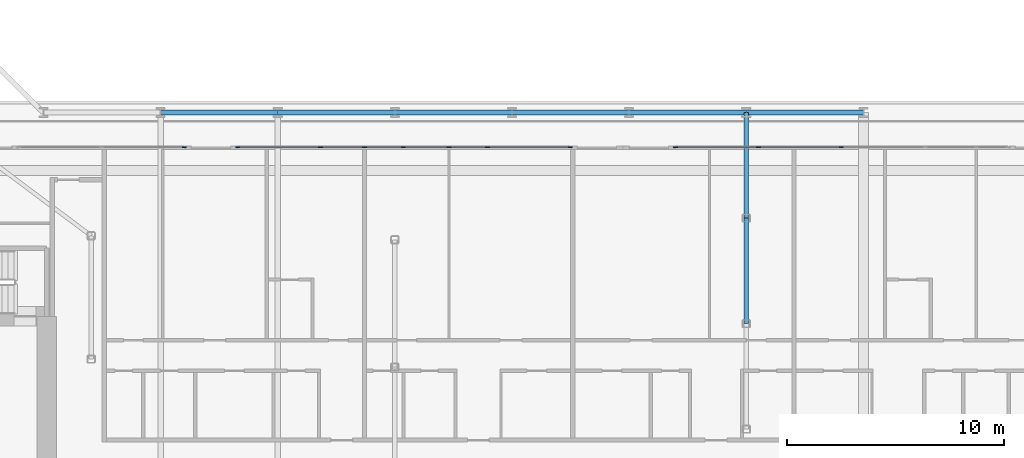
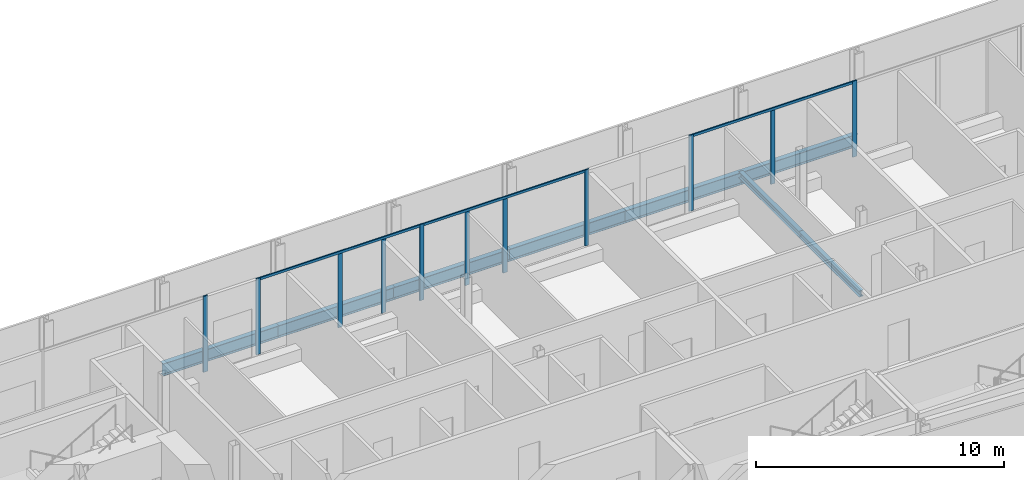
# One storey, part 6 of 26: 14 members, 8 beams, 4 elements without a shape of their own.
"""IFC4 building model written with IfcOpenShell, lengths in metres."""

from ifc_helpers import new_model, si_unit, direction, frame, origin, origin_2d, place, context, subcontext, project, spatial, rectangle, i_section, extrude, material, layer, layer_set, material_profile, profile_set, type_object, element, aggregate, save


model = new_model("IFC4")

# Units and contexts
model_context = context("Model", 3, precision=1e-05, world=origin(), true_north=direction((0.0, 1.0)))
body_context = subcontext(model_context, "Body", "Model", "MODEL_VIEW")
ifc_project = project(units=[si_unit("LENGTHUNIT", "METRE"), si_unit("AREAUNIT", "SQUARE_METRE"), si_unit("VOLUMEUNIT", "CUBIC_METRE"), si_unit("PLANEANGLEUNIT", "RADIAN"), si_unit("MASSUNIT", "GRAM", prefix="KILO")], contexts=[model_context])

# Site, building, storey
site_placement = place(None, origin())
site = spatial("IfcSite", under=ifc_project, at=site_placement, CompositionType="ELEMENT")
building_placement = place(site_placement, origin())
building = spatial("IfcBuilding", under=site, at=building_placement, Name="Kheshtan School and Residences Tower", CompositionType="ELEMENT")
storey_placement = place(building_placement, frame((0.0, 0.0, 105.800048828125)))
storey = spatial("IfcBuildingStorey", under=building, at=storey_placement, Name="L24", CompositionType="ELEMENT", Elevation=105.800048828125)

# Beams
ifc_material_1 = material(Name="Steel ASTM A992 Grade 50", Category="steel")
ifc_material_profile_1 = material_profile(ifc_material_1, i_section(OverallWidth=0.202880859375, OverallDepth=0.302978515625, WebThickness=0.007568359375, FlangeThickness=0.01318359375, FilletRadius=0.009033203125, at=origin_2d()), Name="W310x60")
ifc_profile_set_1 = profile_set([ifc_material_profile_1], Name="Steel ASTM A992 Grade 50")
beam_type_1 = type_object("IfcBeamType", Name="Beam FB1 W310x60 ASTM A992 Grade 50", PredefinedType="BEAM", material=ifc_profile_set_1)
for number, where, z_axis, x_axis, name in (
    (1, (85.39990234375, 45.60009765625, -0.301513671875), (0.0, -1.0, 0.0), (1.0, 0.0, 0.0), "Floor beam C067"),
    (2, (85.39990234375, 40.735107421875, -0.301513671875), (0.0, -1.0, 0.0), (1.0, 0.0, 0.0), "Floor beam IC"),
):
    element("IfcBeam", number, at=place(storey_placement, frame(where, z_axis=z_axis, x_axis=x_axis)), inside=storey, type_object=beam_type_1, Name=name, PredefinedType="BEAM", context=body_context, shape_type="SweptSolid", body=[
        extrude(i_section(OverallWidth=0.202880859375, OverallDepth=0.302978515625, WebThickness=0.007568359375, FlangeThickness=0.01318359375, FilletRadius=0.009033203125, at=origin_2d()), origin(), (0.0, 0.0, 1.0), 4.864990234375),
    ])
ifc_material_profile_2 = material_profile(ifc_material_1, i_section(OverallWidth=0.22802734375, OverallDepth=0.60302734375, WebThickness=0.010498046875, FlangeThickness=0.014892578125, FilletRadius=0.013427734375, at=origin_2d()), Name="W610x101")
ifc_profile_set_2 = profile_set([ifc_material_profile_2], Name="Steel ASTM A992 Grade 50")
beam_type_2 = type_object("IfcBeamType", Name="Beam SP2 W610x101 ASTM A992 Grade 50", PredefinedType="BEAM", material=ifc_profile_set_2)
beam_1_placement = place(storey_placement, frame((58.39990234375, 45.60009765625, -0.45166015625), z_axis=(1.0, 0.0, 0.0), x_axis=(0.0, 1.0, 0.0)))
element("IfcBeam", 3, at=beam_1_placement, inside=storey, type_object=beam_type_2, Name="Spandrel beam C062-C063", PredefinedType="BEAM", context=body_context, shape_type="SweptSolid", body=[
    extrude(i_section(OverallWidth=0.22802734375, OverallDepth=0.60302734375, WebThickness=0.010498046875, FlangeThickness=0.014892578125, FilletRadius=0.013427734375, at=origin_2d()), origin(), (0.0, 0.0, 1.0), 5.400146484375),
])
beam_2_placement = place(storey_placement, frame((63.800048828125, 45.60009765625, -0.45166015625), z_axis=(1.0, 0.0, 0.0), x_axis=(0.0, 1.0, 0.0)))
element("IfcBeam", 4, at=beam_2_placement, inside=storey, type_object=beam_type_2, Name="Spandrel beam C063-C064", PredefinedType="BEAM", context=body_context, shape_type="SweptSolid", body=[
    extrude(i_section(OverallWidth=0.22802734375, OverallDepth=0.60302734375, WebThickness=0.010498046875, FlangeThickness=0.014892578125, FilletRadius=0.013427734375, at=origin_2d()), origin(), (0.0, 0.0, 1.0), 5.39990234375),
])
beam_3_placement = place(storey_placement, frame((69.199951171875, 45.60009765625, -0.45166015625), z_axis=(1.0, 0.0, 0.0), x_axis=(0.0, 1.0, 0.0)))
element("IfcBeam", 5, at=beam_3_placement, inside=storey, type_object=beam_type_2, Name="Spandrel beam C064-C065", PredefinedType="BEAM", context=body_context, shape_type="SweptSolid", body=[
    extrude(i_section(OverallWidth=0.22802734375, OverallDepth=0.60302734375, WebThickness=0.010498046875, FlangeThickness=0.014892578125, FilletRadius=0.013427734375, at=origin_2d()), origin(), (0.0, 0.0, 1.0), 5.400146484375),
])
for number, where, z_axis, x_axis, name in (
    (6, (74.60009765625, 45.60009765625, -0.45166015625), (1.0, 0.0, 0.0), (0.0, 1.0, 0.0), "Spandrel beam C065-C066"),
    (7, (80.0, 45.60009765625, -0.45166015625), (1.0, 0.0, 0.0), (0.0, 1.0, 0.0), "Spandrel beam C066-C067"),
):
    element("IfcBeam", number, at=place(storey_placement, frame(where, z_axis=z_axis, x_axis=x_axis)), inside=storey, type_object=beam_type_2, Name=name, PredefinedType="BEAM", context=body_context, shape_type="SweptSolid", body=[
        extrude(i_section(OverallWidth=0.22802734375, OverallDepth=0.60302734375, WebThickness=0.010498046875, FlangeThickness=0.014892578125, FilletRadius=0.013427734375, at=origin_2d()), origin(), (0.0, 0.0, 1.0), 5.39990234375),
    ])
beam_4_placement = place(storey_placement, frame((85.39990234375, 45.60009765625, -0.45166015625), z_axis=(1.0, 0.0, 0.0), x_axis=(0.0, 1.0, 0.0)))
element("IfcBeam", 8, at=beam_4_placement, inside=storey, type_object=beam_type_2, Name="Spandrel beam C067-C068", PredefinedType="BEAM", context=body_context, shape_type="SweptSolid", body=[
    extrude(i_section(OverallWidth=0.22802734375, OverallDepth=0.60302734375, WebThickness=0.010498046875, FlangeThickness=0.014892578125, FilletRadius=0.013427734375, at=origin_2d()), origin(), (0.0, 0.0, 1.0), 5.400146484375),
])

# Curtain wall, member
ifc_material_2 = material(Name="Clear low-e glass in thermally broken aluminium frame", Category="aluminium")
ifc_layer = layer(ifc_material_2, 0.199951171875)
ifc_layer_set = layer_set([ifc_layer], Name="Curtain wall CW-L")
curtain_wall_type = type_object("IfcCurtainWallType", Name="Curtain wall CW-L", PredefinedType="NOTDEFINED", material=ifc_layer_set)
curtain_wall_1_placement = place(storey_placement, origin())
curtain_wall_1 = element("IfcCurtainWall", 9, at=curtain_wall_1_placement, inside=storey, type_object=curtain_wall_type, Name="Curtain wall CWL8", PredefinedType="NOTDEFINED")
ifc_material_3 = material(Name="Thermally broken aluminium, dark bronze anodised", Category="aluminium")
ifc_material_profile_3 = material_profile(ifc_material_3, rectangle(XDim=0.06005859375, YDim=0.199951171875, at=origin_2d()), Name="CW-L mullion 60x200")
ifc_profile_set_3 = profile_set([ifc_material_profile_3], Name="Thermally broken aluminium, dark bronze anodised")
member_type_1 = type_object("IfcMemberType", Name="CW-L mullion 60x200", PredefinedType="MULLION", material=ifc_profile_set_3)
member_1_placement = place(storey_placement, frame((59.493896484375, 44.0, 0.0), z_axis=(0.0, 0.0, 1.0), x_axis=(0.0, 1.0, 0.0)))
member_1 = element("IfcMember", 10, at=member_1_placement, type_object=member_type_1, Name="CWL8 mullion 3", PredefinedType="MULLION", context=body_context, shape_type="SweptSolid", body=[
    extrude(rectangle(XDim=0.06005859375, YDim=0.199951171875, at=origin_2d()), origin(), (0.0, 0.0, 1.0), 3.75),
])
aggregate(curtain_wall_1, [member_1])

# Curtain wall, members
curtain_wall_2_placement = place(storey_placement, origin())
curtain_wall_2 = element("IfcCurtainWall", 11, at=curtain_wall_2_placement, inside=storey, type_object=curtain_wall_type, Name="Curtain wall CWL8c", PredefinedType="NOTDEFINED")
member_2_placement = place(storey_placement, frame((61.9541015625, 44.0, 0.0), z_axis=(0.0, 0.0, 1.0), x_axis=(0.0, 1.0, 0.0)))
member_2 = element("IfcMember", 12, at=member_2_placement, type_object=member_type_1, Name="CWL8c mullion 1", PredefinedType="MULLION", context=body_context, shape_type="SweptSolid", body=[
    extrude(rectangle(XDim=0.06005859375, YDim=0.199951171875, at=origin_2d()), origin(), (0.0, 0.0, 1.0), 3.75),
])
member_3_placement = place(storey_placement, frame((65.77099609375, 44.0, 0.0), z_axis=(0.0, 0.0, 1.0), x_axis=(0.0, 1.0, 0.0)))
member_3 = element("IfcMember", 13, at=member_3_placement, type_object=member_type_1, Name="CWL8c mullion 2", PredefinedType="MULLION", context=body_context, shape_type="SweptSolid", body=[
    extrude(rectangle(XDim=0.06005859375, YDim=0.199951171875, at=origin_2d()), origin(), (0.0, 0.0, 1.0), 3.6298828125),
])
member_4_placement = place(storey_placement, frame((67.800048828125, 44.0, 0.0), z_axis=(0.0, 0.0, 1.0), x_axis=(0.0, 1.0, 0.0)))
member_4 = element("IfcMember", 14, at=member_4_placement, type_object=member_type_1, Name="CWL8c mullion 3", PredefinedType="MULLION", context=body_context, shape_type="SweptSolid", body=[
    extrude(rectangle(XDim=0.06005859375, YDim=0.199951171875, at=origin_2d()), origin(), (0.0, 0.0, 1.0), 3.6298828125),
])
member_5_placement = place(storey_placement, frame((69.587890625, 44.0, 0.0), z_axis=(0.0, 0.0, 1.0), x_axis=(0.0, 1.0, 0.0)))
member_5 = element("IfcMember", 15, at=member_5_placement, type_object=member_type_1, Name="CWL8c mullion 4", PredefinedType="MULLION", context=body_context, shape_type="SweptSolid", body=[
    extrude(rectangle(XDim=0.06005859375, YDim=0.199951171875, at=origin_2d()), origin(), (0.0, 0.0, 1.0), 3.75),
])

curtain_wall_3_placement = place(storey_placement, origin())
curtain_wall_3 = element("IfcCurtainWall", 16, at=curtain_wall_3_placement, inside=storey, type_object=curtain_wall_type, Name="Curtain wall CWL8c", PredefinedType="NOTDEFINED")
member_6_placement = place(storey_placement, frame((71.699951171875, 44.0, 0.0), z_axis=(0.0, 0.0, 1.0), x_axis=(0.0, 1.0, 0.0)))
member_6 = element("IfcMember", 17, at=member_6_placement, type_object=member_type_1, Name="CWL8c mullion 2", PredefinedType="MULLION", context=body_context, shape_type="SweptSolid", body=[
    extrude(rectangle(XDim=0.06005859375, YDim=0.199951171875, at=origin_2d()), origin(), (0.0, 0.0, 1.0), 3.6298828125),
])
member_7_placement = place(storey_placement, frame((73.465087890625, 44.0, 0.0), z_axis=(0.0, 0.0, 1.0), x_axis=(0.0, 1.0, 0.0)))
member_7 = element("IfcMember", 18, at=member_7_placement, type_object=member_type_1, Name="CWL8c mullion 3", PredefinedType="MULLION", context=body_context, shape_type="SweptSolid", body=[
    extrude(rectangle(XDim=0.06005859375, YDim=0.199951171875, at=origin_2d()), origin(), (0.0, 0.0, 1.0), 3.6298828125),
])
member_8_placement = place(storey_placement, frame((77.281982421875, 44.0, 0.0), z_axis=(0.0, 0.0, 1.0), x_axis=(0.0, 1.0, 0.0)))
member_8 = element("IfcMember", 19, at=member_8_placement, type_object=member_type_1, Name="CWL8c mullion 4", PredefinedType="MULLION", context=body_context, shape_type="SweptSolid", body=[
    extrude(rectangle(XDim=0.06005859375, YDim=0.199951171875, at=origin_2d()), origin(), (0.0, 0.0, 1.0), 3.75),
])

curtain_wall_4_placement = place(storey_placement, origin())
curtain_wall_4 = element("IfcCurtainWall", 20, at=curtain_wall_4_placement, inside=storey, type_object=curtain_wall_type, Name="Curtain wall CWL8", PredefinedType="NOTDEFINED")
member_9_placement = place(storey_placement, frame((82.14208984375, 44.0, 0.0), z_axis=(0.0, 0.0, 1.0), x_axis=(0.0, 1.0, 0.0)))
member_9 = element("IfcMember", 21, at=member_9_placement, type_object=member_type_1, Name="CWL8 mullion 1", PredefinedType="MULLION", context=body_context, shape_type="SweptSolid", body=[
    extrude(rectangle(XDim=0.06005859375, YDim=0.199951171875, at=origin_2d()), origin(), (0.0, 0.0, 1.0), 3.75),
])
member_10_placement = place(storey_placement, frame((85.958984375, 44.0, 0.0), z_axis=(0.0, 0.0, 1.0), x_axis=(0.0, 1.0, 0.0)))
member_10 = element("IfcMember", 22, at=member_10_placement, type_object=member_type_1, Name="CWL8 mullion 2", PredefinedType="MULLION", context=body_context, shape_type="SweptSolid", body=[
    extrude(rectangle(XDim=0.06005859375, YDim=0.199951171875, at=origin_2d()), origin(), (0.0, 0.0, 1.0), 3.6298828125),
])
member_11_placement = place(storey_placement, frame((89.77587890625, 44.0, 0.0), z_axis=(0.0, 0.0, 1.0), x_axis=(0.0, 1.0, 0.0)))
member_11 = element("IfcMember", 23, at=member_11_placement, type_object=member_type_1, Name="CWL8 mullion 3", PredefinedType="MULLION", context=body_context, shape_type="SweptSolid", body=[
    extrude(rectangle(XDim=0.06005859375, YDim=0.199951171875, at=origin_2d()), origin(), (0.0, 0.0, 1.0), 3.75),
])

# Member
ifc_material_profile_4 = material_profile(ifc_material_3, rectangle(XDim=0.06005859375, YDim=0.1201171875, at=origin_2d()), Name="CW-L transom 60x120")
ifc_profile_set_4 = profile_set([ifc_material_profile_4], Name="Thermally broken aluminium, dark bronze anodised")
member_type_2 = type_object("IfcMemberType", Name="CW-L transom 60x120", PredefinedType="USERDEFINED", material=ifc_profile_set_4)
member_12_placement = place(storey_placement, frame((61.98388671875, 44.0, 3.68994140625), z_axis=(1.0, 0.0, 0.0), x_axis=(0.0, 1.0, 0.0)))
member_12 = element("IfcMember", 24, at=member_12_placement, type_object=member_type_2, Name="CWL8c transom 1", ObjectType="TRANSOM", PredefinedType="USERDEFINED", context=body_context, shape_type="SweptSolid", body=[
    extrude(rectangle(XDim=0.06005859375, YDim=0.1201171875, at=origin_2d()), origin(), (0.0, 0.0, 1.0), 7.57421875),
])

aggregate(curtain_wall_2, [member_2, member_3, member_4, member_5, member_12])

member_13_placement = place(storey_placement, frame((69.617919921875, 44.0, 3.68994140625), z_axis=(1.0, 0.0, 0.0), x_axis=(0.0, 1.0, 0.0)))
member_13 = element("IfcMember", 25, at=member_13_placement, type_object=member_type_2, Name="CWL8c transom 1", ObjectType="TRANSOM", PredefinedType="USERDEFINED", context=body_context, shape_type="SweptSolid", body=[
    extrude(rectangle(XDim=0.06005859375, YDim=0.1201171875, at=origin_2d()), origin(), (0.0, 0.0, 1.0), 7.634033203125),
])

aggregate(curtain_wall_3, [member_6, member_7, member_8, member_13])

member_14_placement = place(storey_placement, frame((82.172119140625, 44.0, 3.68994140625), z_axis=(1.0, 0.0, 0.0), x_axis=(0.0, 1.0, 0.0)))
member_14 = element("IfcMember", 26, at=member_14_placement, type_object=member_type_2, Name="CWL8 transom 1", ObjectType="TRANSOM", PredefinedType="USERDEFINED", context=body_context, shape_type="SweptSolid", body=[
    extrude(rectangle(XDim=0.06005859375, YDim=0.1201171875, at=origin_2d()), origin(), (0.0, 0.0, 1.0), 7.573974609375),
])

aggregate(curtain_wall_4, [member_9, member_10, member_11, member_14])

save(model, "model.ifc")
